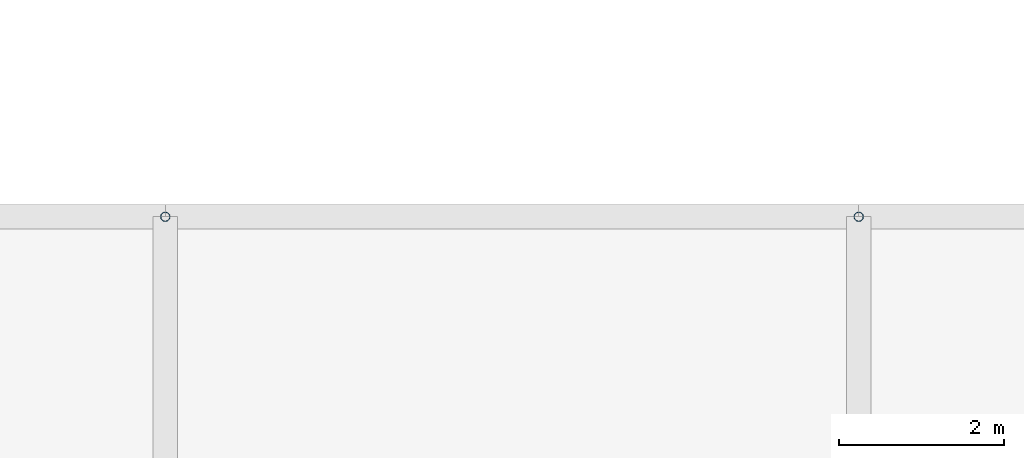
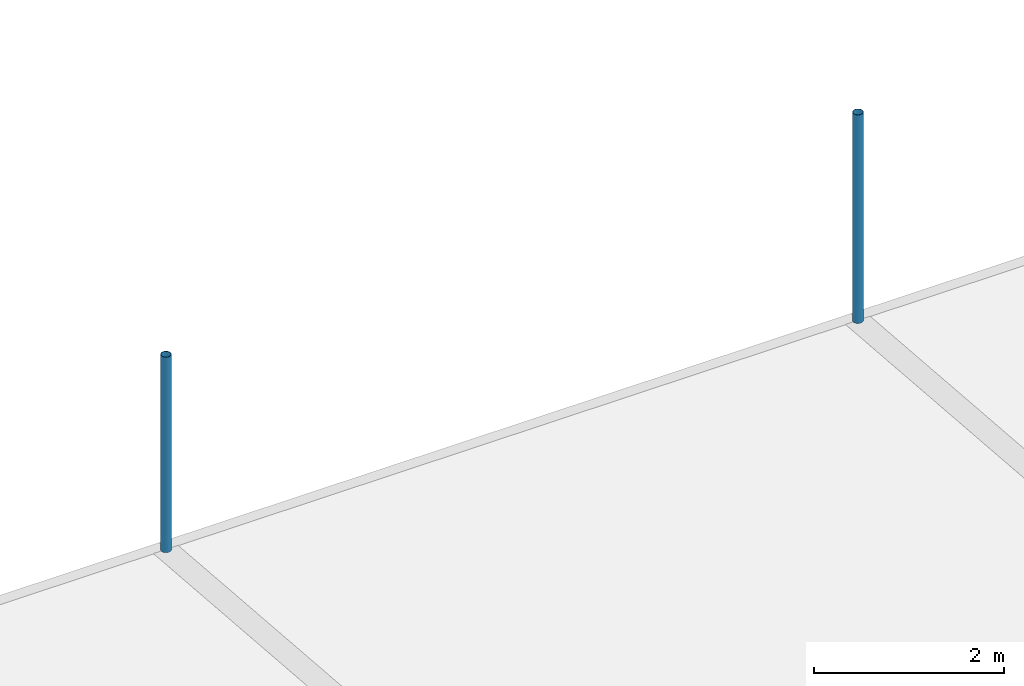
# One storey, part 30 of 37: 2 discrete accessories.
"""IFC4 building model written with IfcOpenShell, lengths in metres."""

from ifc_helpers import new_model, si_unit, direction, frame, origin, origin_2d, place, context, subcontext, project, spatial, hollow_circle, extrude, material, material_profile, profile_set, type_object, element, save


model = new_model("IFC4")

# Units and contexts
model_context = context("Model", 3, precision=1e-05, world=origin(), true_north=direction((0.0, 1.0)))
body_context = subcontext(model_context, "Body", "Model", "MODEL_VIEW")
ifc_project = project(units=[si_unit("LENGTHUNIT", "METRE"), si_unit("AREAUNIT", "SQUARE_METRE"), si_unit("VOLUMEUNIT", "CUBIC_METRE"), si_unit("PLANEANGLEUNIT", "RADIAN"), si_unit("MASSUNIT", "GRAM", prefix="KILO")], contexts=[model_context])

# Site, building, storey
site_placement = place(None, origin())
site = spatial("IfcSite", under=ifc_project, at=site_placement, CompositionType="ELEMENT")
building_placement = place(site_placement, origin())
building = spatial("IfcBuilding", under=site, at=building_placement, Name="Rain Tree Exposition and Congress Centre", CompositionType="ELEMENT")
storey_placement = place(building_placement, frame((0.0, 0.0, 25.0)))
storey = spatial("IfcBuildingStorey", under=building, at=storey_placement, Name="ROOF VAULT LOW", CompositionType="ELEMENT", Elevation=25.0)

# Discrete accessories
ifc_material = material(Name="Steel S355J2H", Category="steel")
ifc_material_profile = material_profile(ifc_material, hollow_circle(Radius=0.05712890625, WallThickness=0.00439453125, at=origin_2d()), Name="CHS 114x4.5")
ifc_profile_set = profile_set([ifc_material_profile], Name="Steel S355J2H")
discrete_accessory_type = type_object("IfcDiscreteAccessoryType", Name="Roof skin post CHS 114x4.5", PredefinedType="BRACKET", material=ifc_profile_set)
discrete_accessory_1_placement = place(storey_placement, frame((33.60009765625, 168.0, 0.4892578125), z_axis=(0.0, 0.0, 1.0), x_axis=(1.0, 0.0, 0.0)))
element("IfcDiscreteAccessory", 1, at=discrete_accessory_1_placement, inside=storey, type_object=discrete_accessory_type, Name="Roof skin post A124", PredefinedType="BRACKET", context=body_context, shape_type="SweptSolid", body=[
    extrude(hollow_circle(Radius=0.05712890625, WallThickness=0.00439453125, at=origin_2d()), origin(), (0.0, 0.0, 1.0), 2.509765625),
])
discrete_accessory_2_placement = place(storey_placement, frame((42.0, 168.0, 0.4892578125), z_axis=(0.0, 0.0, 1.0), x_axis=(1.0, 0.0, 0.0)))
element("IfcDiscreteAccessory", 2, at=discrete_accessory_2_placement, inside=storey, type_object=discrete_accessory_type, Name="Roof skin post A125", PredefinedType="BRACKET", context=body_context, shape_type="SweptSolid", body=[
    extrude(hollow_circle(Radius=0.05712890625, WallThickness=0.00439453125, at=origin_2d()), origin(), (0.0, 0.0, 1.0), 2.677734375),
])

save(model, "model.ifc")
